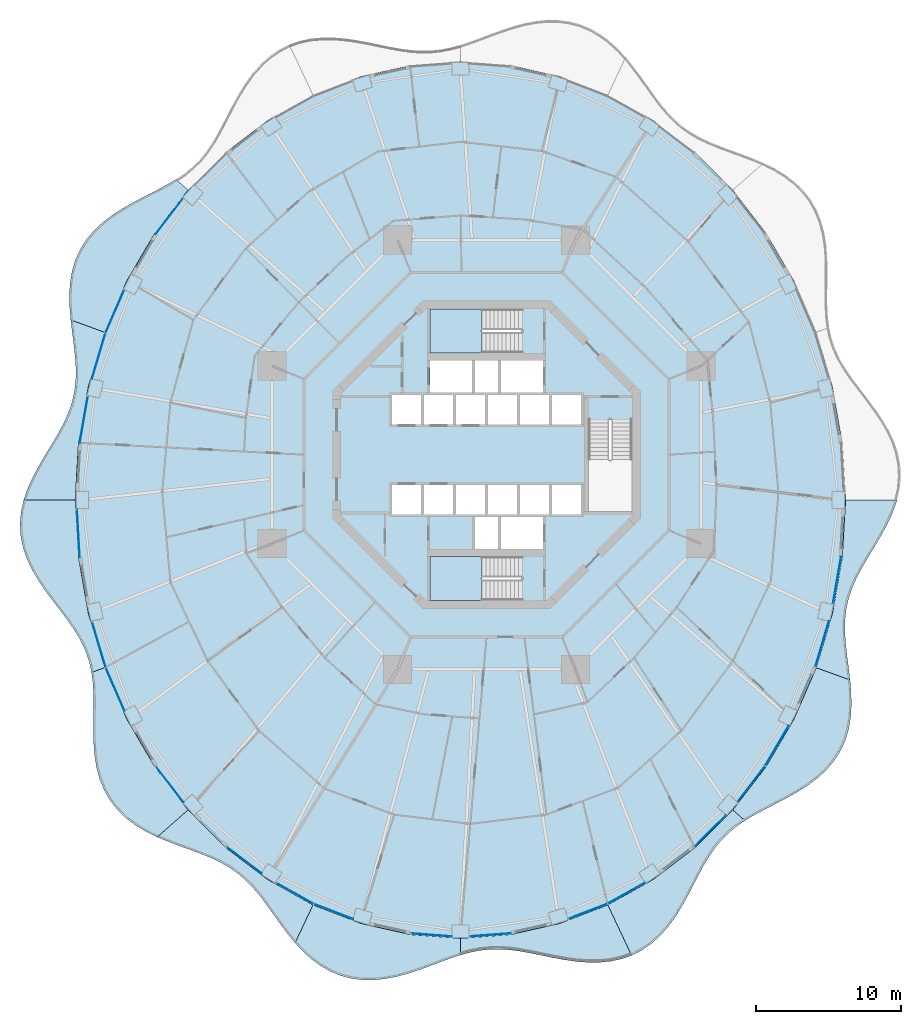
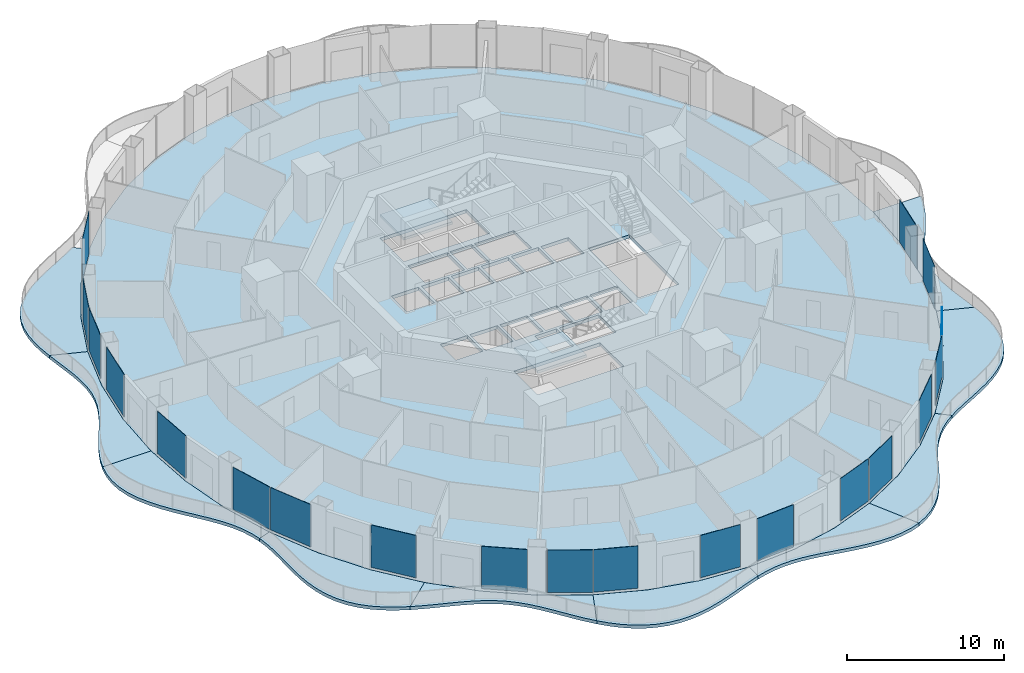
# One storey, part 10 of 20: 20 plates, 13 slabs, 22 elements without a shape of their own.
"""IFC4 building model written with IfcOpenShell, lengths in metres."""

from ifc_helpers import new_model, si_unit, direction, frame, origin, origin_2d, place, context, subcontext, project, spatial, polyline, rectangle, outline, extrude, material, layer, layer_set, type_object, element, aggregate, save


model = new_model("IFC4")

# Units and contexts
model_context = context("Model", 3, precision=1e-05, world=origin(), true_north=direction((0.0, 1.0)))
body_context = subcontext(model_context, "Body", "Model", "MODEL_VIEW")
ifc_project = project(units=[si_unit("LENGTHUNIT", "METRE"), si_unit("AREAUNIT", "SQUARE_METRE"), si_unit("VOLUMEUNIT", "CUBIC_METRE"), si_unit("PLANEANGLEUNIT", "RADIAN"), si_unit("MASSUNIT", "GRAM", prefix="KILO")], contexts=[model_context])

# Site, building, storey
site_placement = place(None, origin())
site = spatial("IfcSite", under=ifc_project, at=site_placement, CompositionType="ELEMENT")
building_placement = place(site_placement, origin())
building = spatial("IfcBuilding", under=site, at=building_placement, Name="Nagisa Residences", CompositionType="ELEMENT")
storey_placement = place(building_placement, frame((0.0, 0.0, 145.5)))
storey = spatial("IfcBuildingStorey", under=building, at=storey_placement, Name="L36", CompositionType="ELEMENT", Elevation=145.5)

# Slabs
ifc_material_1 = material(Name="Concrete C40/50", Category="concrete")
ifc_layer_1 = layer(ifc_material_1, 0.25)
ifc_layer_set_1 = layer_set([ifc_layer_1], Name="BALCONY SLAB 250")
slab_type_1 = type_object("IfcSlabType", Name="BALCONY SLAB 250", PredefinedType="FLOOR", material=ifc_layer_set_1)
slab_1_placement = place(storey_placement, frame((0.0, 0.0, -0.25)))
element("IfcSlab", 1, at=slab_1_placement, inside=storey, type_object=slab_type_1, Name="slab:L36:bal06", PredefinedType="FLOOR", context=body_context, shape_type="SweptSolid", body=[
    extrude(outline(polyline([(-21.400390625, 18.96923828125), (-22.0751953125, 18.566650390625), (-22.792236328125, 18.181640625), (-23.53759765625, 17.799072265625), (-24.294921875, 17.403564453125), (-25.044189453125, 16.98095703125), (-25.76513671875, 16.519287109375), (-26.4375, 16.0087890625), (-27.043212890625, 15.443603515625), (-27.56640625, 14.821044921875), (-27.99609375, 14.14208984375), (-28.325927734375, 13.4111328125), (-28.55517578125, 12.63525390625), (-28.688720703125, 11.82373046875), (-28.7373046875, 10.987548828125), (-28.716064453125, 10.1376953125), (-28.643798828125, 9.28515625), (-26.315185546875, 8.4375), (-24.780029296875, 11.979736328125), (-22.8515625, 15.263916015625), (-20.56298828125, 18.2333984375), (-21.400390625, 18.96923828125)])), origin(), (0.0, 0.0, 1.0), 0.25),
])
slab_2_placement = place(storey_placement, frame((0.0, 0.0, -0.25)))
element("IfcSlab", 2, at=slab_2_placement, inside=storey, type_object=slab_type_1, Name="slab:L36:bal07", PredefinedType="FLOOR", context=body_context, shape_type="SweptSolid", body=[
    extrude(outline(polyline([(-28.643798828125, 9.28515625), (-28.539306640625, 8.412841796875), (-28.428955078125, 7.556884765625), (-28.337646484375, 6.7236328125), (-28.287841796875, 5.916015625), (-28.29833984375, 5.135009765625), (-28.3828125, 4.3779296875), (-28.548095703125, 3.640380859375), (-28.795166015625, 2.916259765625), (-29.117431640625, 2.198486328125), (-29.502197265625, 1.4794921875), (-29.93115234375, 0.7529296875), (-30.38134765625, 0.01318359375), (-30.82763671875, -0.743408203125), (-31.2431640625, -1.518310546875), (-31.6025390625, -2.310546875), (-31.883056640625, -3.11767578125), (-28.3349609375, -3.11767578125), (-28.10791015625, 0.823486328125), (-27.430908203125, 4.697265625), (-26.315185546875, 8.4375), (-28.643798828125, 9.28515625)])), origin(), (0.0, 0.0, 1.0), 0.25),
])
slab_3_placement = place(storey_placement, frame((0.0, 0.0, -0.25)))
element("IfcSlab", 3, at=slab_3_placement, inside=storey, type_object=slab_type_1, Name="slab:L36:bal08", PredefinedType="FLOOR", context=body_context, shape_type="SweptSolid", body=[
    extrude(outline(polyline([(-31.883056640625, -3.11767578125), (-32.065673828125, -3.934814453125), (-32.137939453125, -4.755615234375), (-32.0927734375, -5.573486328125), (-31.930908203125, -6.382080078125), (-31.65966796875, -7.1748046875), (-31.29248046875, -7.947265625), (-30.848876953125, -8.696533203125), (-30.3515625, -9.422607421875), (-29.826416015625, -10.126953125), (-29.29931640625, -10.814208984375), (-28.795166015625, -11.49072265625), (-28.335693359375, -12.164306640625), (-27.938720703125, -12.843505859375), (-27.615966796875, -13.537109375), (-27.372314453125, -14.2529296875), (-27.20654296875, -14.997314453125), (-26.315185546875, -14.6728515625), (-27.430908203125, -10.9326171875), (-28.10791015625, -7.058837890625), (-28.3349609375, -3.11767578125), (-31.883056640625, -3.11767578125)])), origin(), (0.0, 0.0, 1.0), 0.25),
])
slab_4_placement = place(storey_placement, frame((0.0, 0.0, -0.25)))
element("IfcSlab", 4, at=slab_4_placement, inside=storey, type_object=slab_type_1, Name="slab:L36:bal09", PredefinedType="FLOOR", context=body_context, shape_type="SweptSolid", body=[
    extrude(outline(polyline([(-27.20654296875, -14.997314453125), (-27.11279296875, -15.749267578125), (-27.072265625, -16.532470703125), (-27.06787109375, -17.34423828125), (-27.07958984375, -18.18017578125), (-27.085693359375, -19.03173828125), (-27.064208984375, -19.888916015625), (-26.994384765625, -20.73974609375), (-26.85791015625, -21.57080078125), (-26.640625, -22.369384765625), (-26.332275390625, -23.122802734375), (-25.928955078125, -23.82080078125), (-25.43115234375, -24.45556640625), (-24.845458984375, -25.02294921875), (-24.182373046875, -25.52197265625), (-23.45703125, -25.95703125), (-22.686767578125, -26.3349609375), (-20.56298828125, -24.46875), (-22.8515625, -21.499267578125), (-24.780029296875, -18.215087890625), (-26.315185546875, -14.6728515625), (-27.20654296875, -14.997314453125)])), origin(), (0.0, 0.0, 1.0), 0.25),
])
slab_5_placement = place(storey_placement, frame((0.0, 0.0, -0.25)))
element("IfcSlab", 5, at=slab_5_placement, inside=storey, type_object=slab_type_1, Name="slab:L36:bal10", PredefinedType="FLOOR", context=body_context, shape_type="SweptSolid", body=[
    extrude(outline(polyline([(-22.686767578125, -26.3349609375), (-21.927978515625, -26.65283203125), (-21.162109375, -26.94189453125), (-20.404541015625, -27.2158203125), (-19.6689453125, -27.48974609375), (-18.966064453125, -27.7783203125), (-18.303466796875, -28.095703125), (-17.68505859375, -28.453125), (-17.11083984375, -28.859619140625), (-16.5771484375, -29.320556640625), (-16.077392578125, -29.83642578125), (-15.602294921875, -30.404541015625), (-15.14013671875, -31.016845703125), (-14.679443359375, -31.661865234375), (-14.20751953125, -32.324462890625), (-13.713623046875, -32.9873046875), (-13.187744140625, -33.630615234375), (-11.95458984375, -31.01416015625), (-15.0673828125, -29.267333984375), (-17.953369140625, -27.072998046875), (-20.56298828125, -24.46875), (-22.686767578125, -26.3349609375)])), origin(), (0.0, 0.0, 1.0), 0.25),
])
slab_6_placement = place(storey_placement, frame((0.0, 0.0, -0.25)))
element("IfcSlab", 6, at=slab_6_placement, inside=storey, type_object=slab_type_1, Name="slab:L36:bal11", PredefinedType="FLOOR", context=body_context, shape_type="SweptSolid", body=[
    extrude(outline(polyline([(-13.187744140625, -33.630615234375), (-12.64404296875, -34.214111328125), (-12.059814453125, -34.74462890625), (-11.433837890625, -35.20703125), (-10.76708984375, -35.588623046875), (-10.063232421875, -35.880126953125), (-9.32763671875, -36.076416015625), (-8.567626953125, -36.1767578125), (-7.791259765625, -36.18408203125), (-7.007080078125, -36.10693359375), (-6.222900390625, -35.956787109375), (-5.446044921875, -35.748291015625), (-4.681884765625, -35.499267578125), (-3.9345703125, -35.227783203125), (-3.205810546875, -34.953369140625), (-2.4951171875, -34.693603515625), (-1.800048828125, -34.46484375), (-1.800048828125, -33.312744140625), (-5.263427734375, -33.054443359375), (-8.667724609375, -32.283935546875), (-11.95458984375, -31.01416015625), (-13.187744140625, -33.630615234375)])), origin(), (0.0, 0.0, 1.0), 0.25),
])
slab_7_placement = place(storey_placement, frame((0.0, 0.0, -0.25)))
element("IfcSlab", 7, at=slab_7_placement, inside=storey, type_object=slab_type_1, Name="slab:L36:bal12", PredefinedType="FLOOR", context=body_context, shape_type="SweptSolid", body=[
    extrude(outline(polyline([(-1.800048828125, -34.46484375), (-1.11669921875, -34.2802734375), (-0.439453125, -34.149658203125), (0.237548828125, -34.078369140625), (0.92041015625, -34.0673828125), (1.614990234375, -34.11279296875), (2.32568359375, -34.20703125), (3.0556640625, -34.338134765625), (3.805908203125, -34.4912109375), (4.575439453125, -34.649169921875), (5.360595703125, -34.794189453125), (6.15576171875, -34.907958984375), (6.953857421875, -34.97314453125), (7.74609375, -34.974609375), (8.52294921875, -34.89990234375), (9.275146484375, -34.740478515625), (9.993408203125, -34.4912109375), (8.3544921875, -31.01416015625), (5.06787109375, -32.283935546875), (1.66357421875, -33.054443359375), (-1.800048828125, -33.312744140625), (-1.800048828125, -34.46484375)])), origin(), (0.0, 0.0, 1.0), 0.25),
])
slab_8_placement = place(storey_placement, frame((0.0, 0.0, -0.25)))
element("IfcSlab", 8, at=slab_8_placement, inside=storey, type_object=slab_type_1, Name="slab:L36:bal13", PredefinedType="FLOOR", context=body_context, shape_type="SweptSolid", body=[
    extrude(outline(polyline([(9.993408203125, -34.4912109375), (10.694580078125, -34.13720703125), (11.3447265625, -33.690185546875), (11.93994140625, -33.15869140625), (12.479736328125, -32.55517578125), (12.96728515625, -31.89453125), (13.408447265625, -31.19482421875), (13.8125, -30.4736328125), (14.190673828125, -29.749267578125), (14.55615234375, -29.038330078125), (14.92333984375, -28.35498046875), (15.3056640625, -27.710693359375), (15.7158203125, -27.113037109375), (16.16455078125, -26.565673828125), (16.659423828125, -26.068359375), (17.20458984375, -25.6171875), (17.80029296875, -25.20458984375), (16.963134765625, -24.46875), (14.353515625, -27.072998046875), (11.467529296875, -29.267333984375), (8.3544921875, -31.01416015625), (9.993408203125, -34.4912109375)])), origin(), (0.0, 0.0, 1.0), 0.25),
])
slab_9_placement = place(storey_placement, frame((0.0, 0.0, -0.25)))
element("IfcSlab", 9, at=slab_9_placement, inside=storey, type_object=slab_type_1, Name="slab:L36:bal14", PredefinedType="FLOOR", context=body_context, shape_type="SweptSolid", body=[
    extrude(outline(polyline([(17.80029296875, -25.20458984375), (18.47509765625, -24.802001953125), (19.192138671875, -24.4169921875), (19.937744140625, -24.034423828125), (20.69482421875, -23.638916015625), (21.444091796875, -23.21630859375), (22.1650390625, -22.754638671875), (22.837646484375, -22.244384765625), (23.443115234375, -21.67919921875), (23.96630859375, -21.056396484375), (24.39599609375, -20.37744140625), (24.725830078125, -19.646484375), (24.955078125, -18.87060546875), (25.088623046875, -18.05908203125), (25.13720703125, -17.222900390625), (25.115966796875, -16.373046875), (25.0439453125, -15.5205078125), (22.715087890625, -14.6728515625), (21.179931640625, -18.215087890625), (19.251708984375, -21.499267578125), (16.963134765625, -24.46875), (17.80029296875, -25.20458984375)])), origin(), (0.0, 0.0, 1.0), 0.25),
])
slab_10_placement = place(storey_placement, frame((0.0, 0.0, -0.25)))
element("IfcSlab", 10, at=slab_10_placement, inside=storey, type_object=slab_type_1, Name="slab:L36:bal15", PredefinedType="FLOOR", context=body_context, shape_type="SweptSolid", body=[
    extrude(outline(polyline([(25.0439453125, -15.5205078125), (24.939208984375, -14.648193359375), (24.828857421875, -13.792236328125), (24.737548828125, -12.958984375), (24.68798828125, -12.1513671875), (24.698486328125, -11.370361328125), (24.78271484375, -10.61328125), (24.9482421875, -9.875732421875), (25.195068359375, -9.151611328125), (25.517578125, -8.433837890625), (25.90234375, -7.715087890625), (26.3310546875, -6.98828125), (26.781494140625, -6.24853515625), (27.2275390625, -5.491943359375), (27.64306640625, -4.71728515625), (28.00244140625, -3.9248046875), (28.282958984375, -3.11767578125), (24.735107421875, -3.11767578125), (24.508056640625, -7.058837890625), (23.830810546875, -10.9326171875), (22.715087890625, -14.6728515625), (25.0439453125, -15.5205078125)])), origin(), (0.0, 0.0, 1.0), 0.25),
])

# Curtain wall, plate
ifc_material_2 = material(Name="Concrete-coloured aluminium curtain wall system", Category="concrete")
ifc_layer_2 = layer(ifc_material_2, 0.159912109375)
ifc_layer_set_2 = layer_set([ifc_layer_2], Name="CW1 CURTAIN WALL")
curtain_wall_type = type_object("IfcCurtainWallType", Name="CW1 CURTAIN WALL", PredefinedType="NOTDEFINED", material=ifc_layer_set_2)
curtain_wall_1_placement = place(storey_placement, origin())
curtain_wall_1 = element("IfcCurtainWall", 11, at=curtain_wall_1_placement, inside=storey, type_object=curtain_wall_type, Name="cw:CW1:L36:18", PredefinedType="NOTDEFINED")
ifc_material_3 = material(Name="Clear laminated glass", Category="glass")
ifc_layer_3 = layer(ifc_material_3, 0.028076171875)
ifc_layer_set_3 = layer_set([ifc_layer_3], Name="CW1 GLASS PANEL")
plate_type = type_object("IfcPlateType", Name="CW1 GLASS PANEL", PredefinedType="CURTAIN_PANEL", material=ifc_layer_set_3)
plate_1_placement = place(storey_placement, frame((-21.845458984375, 16.4384765625, 0.14990234375), z_axis=(0.0, 0.0, 1.0), x_axis=(-0.610429828235, -0.792070340816, 0.0)))
plate_1 = element("IfcPlate", 12, at=plate_1_placement, type_object=plate_type, Name="CW1 panel", PredefinedType="CURTAIN_PANEL", context=body_context, shape_type="SweptSolid", body=[
    extrude(rectangle(XDim=3.089111328125, YDim=0.028076171875, at=origin_2d()), origin(), (0.0, 0.0, 1.0), 3.2900390625),
])
aggregate(curtain_wall_1, [plate_1])

curtain_wall_2_placement = place(storey_placement, origin())
curtain_wall_2 = element("IfcCurtainWall", 13, at=curtain_wall_2_placement, inside=storey, type_object=curtain_wall_type, Name="cw:CW1:L36:20", PredefinedType="NOTDEFINED")
plate_2_placement = place(storey_placement, frame((-25.60546875, 9.8740234375, 0.14990234375), z_axis=(0.0, 0.0, 1.0), x_axis=(-0.397635934147, -0.917543276295, 0.0)))
plate_2 = element("IfcPlate", 14, at=plate_2_placement, type_object=plate_type, Name="CW1 panel", PredefinedType="CURTAIN_PANEL", context=body_context, shape_type="SweptSolid", body=[
    extrude(rectangle(XDim=3.20068359375, YDim=0.028076171875, at=origin_2d()), origin(), (0.0, 0.0, 1.0), 3.2900390625),
])
aggregate(curtain_wall_2, [plate_2])

curtain_wall_3_placement = place(storey_placement, origin())
curtain_wall_3 = element("IfcCurtainWall", 15, at=curtain_wall_3_placement, inside=storey, type_object=curtain_wall_type, Name="cw:CW1:L36:21", PredefinedType="NOTDEFINED")
plate_3_placement = place(storey_placement, frame((-26.71923828125, 6.80322265625, 0.14990234375), z_axis=(0.0, 0.0, 1.0), x_axis=(-0.285860274038, -0.958271310082, 0.0)))
plate_3 = element("IfcPlate", 16, at=plate_3_placement, type_object=plate_type, Name="CW1 panel", PredefinedType="CURTAIN_PANEL", context=body_context, shape_type="SweptSolid", body=[
    extrude(rectangle(XDim=3.242919921875, YDim=0.028076171875, at=origin_2d()), origin(), (0.0, 0.0, 1.0), 3.2900390625),
])
aggregate(curtain_wall_3, [plate_3])

curtain_wall_4_placement = place(storey_placement, origin())
curtain_wall_4 = element("IfcCurtainWall", 17, at=curtain_wall_4_placement, inside=storey, type_object=curtain_wall_type, Name="cw:CW1:L36:22", PredefinedType="NOTDEFINED")
plate_4_placement = place(storey_placement, frame((-27.747314453125, 2.421630859375, 0.14990234375), z_axis=(0.0, 0.0, 1.0), x_axis=(-0.172190868898, -0.985063604377, 0.0)))
plate_4 = element("IfcPlate", 18, at=plate_4_placement, type_object=plate_type, Name="CW1 panel", PredefinedType="CURTAIN_PANEL", context=body_context, shape_type="SweptSolid", body=[
    extrude(rectangle(XDim=3.2724609375, YDim=0.028076171875, at=origin_2d()), origin(), (0.0, 0.0, 1.0), 3.2900390625),
])
aggregate(curtain_wall_4, [plate_4])

curtain_wall_5_placement = place(storey_placement, origin())
curtain_wall_5 = element("IfcCurtainWall", 19, at=curtain_wall_5_placement, inside=storey, type_object=curtain_wall_type, Name="cw:CW1:L36:24", PredefinedType="NOTDEFINED")
plate_5_placement = place(storey_placement, frame((-28.12255859375, -5.4130859375, 0.14990234375), z_axis=(0.0, 0.0, 1.0), x_axis=(0.057503492216, -0.998345305184, 0.0)))
plate_5 = element("IfcPlate", 20, at=plate_5_placement, type_object=plate_type, Name="CW1 panel", PredefinedType="CURTAIN_PANEL", context=body_context, shape_type="SweptSolid", body=[
    extrude(rectangle(XDim=3.287841796875, YDim=0.028076171875, at=origin_2d()), origin(), (0.0, 0.0, 1.0), 3.2900390625),
])
aggregate(curtain_wall_5, [plate_5])

curtain_wall_6_placement = place(storey_placement, origin())
curtain_wall_6 = element("IfcCurtainWall", 21, at=curtain_wall_6_placement, inside=storey, type_object=curtain_wall_type, Name="cw:CW1:L36:26", PredefinedType="NOTDEFINED")
plate_6_placement = place(storey_placement, frame((-26.701904296875, -13.09619140625, 0.14990234375), z_axis=(0.0, 0.0, 1.0), x_axis=(0.285860274038, -0.958271310082, 0.0)))
plate_6 = element("IfcPlate", 22, at=plate_6_placement, type_object=plate_type, Name="CW1 panel", PredefinedType="CURTAIN_PANEL", context=body_context, shape_type="SweptSolid", body=[
    extrude(rectangle(XDim=3.242919921875, YDim=0.028076171875, at=origin_2d()), origin(), (0.0, 0.0, 1.0), 3.2900390625),
])
aggregate(curtain_wall_6, [plate_6])

curtain_wall_7_placement = place(storey_placement, origin())
curtain_wall_7 = element("IfcCurtainWall", 23, at=curtain_wall_7_placement, inside=storey, type_object=curtain_wall_type, Name="cw:CW1:L36:27", PredefinedType="NOTDEFINED")
plate_7_placement = place(storey_placement, frame((-25.58154296875, -16.16455078125, 0.14990234375), z_axis=(0.0, 0.0, 1.0), x_axis=(0.397635934147, -0.917543276295, 0.0)))
plate_7 = element("IfcPlate", 24, at=plate_7_placement, type_object=plate_type, Name="CW1 panel", PredefinedType="CURTAIN_PANEL", context=body_context, shape_type="SweptSolid", body=[
    extrude(rectangle(XDim=3.20068359375, YDim=0.028076171875, at=origin_2d()), origin(), (0.0, 0.0, 1.0), 3.2900390625),
])
aggregate(curtain_wall_7, [plate_7])

curtain_wall_8_placement = place(storey_placement, origin())
curtain_wall_8 = element("IfcCurtainWall", 25, at=curtain_wall_8_placement, inside=storey, type_object=curtain_wall_type, Name="cw:CW1:L36:29", PredefinedType="NOTDEFINED")
plate_8_placement = place(storey_placement, frame((-21.808837890625, -22.721435546875, 0.14990234375), z_axis=(0.0, 0.0, 1.0), x_axis=(0.610429828235, -0.792070340816, 0.0)))
plate_8 = element("IfcPlate", 26, at=plate_8_placement, type_object=plate_type, Name="CW1 panel", PredefinedType="CURTAIN_PANEL", context=body_context, shape_type="SweptSolid", body=[
    extrude(rectangle(XDim=3.089111328125, YDim=0.028076171875, at=origin_2d()), origin(), (0.0, 0.0, 1.0), 3.2900390625),
])
aggregate(curtain_wall_8, [plate_8])

curtain_wall_9_placement = place(storey_placement, origin())
curtain_wall_9 = element("IfcCurtainWall", 27, at=curtain_wall_9_placement, inside=storey, type_object=curtain_wall_type, Name="cw:CW1:L36:31", PredefinedType="NOTDEFINED")
plate_9_placement = place(storey_placement, frame((-16.677001953125, -27.943115234375, 0.14990234375), z_axis=(0.0, 0.0, 1.0), x_axis=(0.79603132756, -0.605255421737, 0.0)))
plate_9 = element("IfcPlate", 28, at=plate_9_placement, type_object=plate_type, Name="CW1 panel", PredefinedType="CURTAIN_PANEL", context=body_context, shape_type="SweptSolid", body=[
    extrude(rectangle(XDim=2.965576171875, YDim=0.028076171875, at=origin_2d()), origin(), (0.0, 0.0, 1.0), 3.2900390625),
])
aggregate(curtain_wall_9, [plate_9])

curtain_wall_10_placement = place(storey_placement, origin())
curtain_wall_10 = element("IfcCurtainWall", 29, at=curtain_wall_10_placement, inside=storey, type_object=curtain_wall_type, Name="cw:CW1:L36:32", PredefinedType="NOTDEFINED")
plate_10_placement = place(storey_placement, frame((-13.18408203125, -30.232421875, 0.14990234375), z_axis=(0.0, 0.0, 1.0), x_axis=(0.872072377523, -0.489376918501, 0.0)))
plate_10 = element("IfcPlate", 30, at=plate_10_placement, type_object=plate_type, Name="CW1 panel", PredefinedType="CURTAIN_PANEL", context=body_context, shape_type="SweptSolid", body=[
    extrude(rectangle(XDim=2.90966796875, YDim=0.028076171875, at=origin_2d()), origin(), (0.0, 0.0, 1.0), 3.2900390625),
])
aggregate(curtain_wall_10, [plate_10])

curtain_wall_11_placement = place(storey_placement, origin())
curtain_wall_11 = element("IfcCurtainWall", 31, at=curtain_wall_11_placement, inside=storey, type_object=curtain_wall_type, Name="cw:CW1:L36:33", PredefinedType="NOTDEFINED")
plate_11_placement = place(storey_placement, frame((-10.5341796875, -31.47705078125, 0.14990234375), z_axis=(0.0, 0.0, 1.0), x_axis=(0.932825759707, -0.360327770268, 0.0)))
plate_11 = element("IfcPlate", 32, at=plate_11_placement, type_object=plate_type, Name="CW1 panel", PredefinedType="CURTAIN_PANEL", context=body_context, shape_type="SweptSolid", body=[
    extrude(rectangle(XDim=2.863525390625, YDim=0.028076171875, at=origin_2d()), origin(), (0.0, 0.0, 1.0), 3.2900390625),
])
aggregate(curtain_wall_11, [plate_11])

curtain_wall_12_placement = place(storey_placement, origin())
curtain_wall_12 = element("IfcCurtainWall", 33, at=curtain_wall_12_placement, inside=storey, type_object=curtain_wall_type, Name="cw:CW1:L36:35", PredefinedType="NOTDEFINED")
plate_12_placement = place(storey_placement, frame((-3.795166015625, -33.083740234375, 0.14990234375), z_axis=(0.0, 0.0, 1.0), x_axis=(0.997230168512, -0.074377355493, 0.0)))
plate_12 = element("IfcPlate", 34, at=plate_12_placement, type_object=plate_type, Name="CW1 panel", PredefinedType="CURTAIN_PANEL", context=body_context, shape_type="SweptSolid", body=[
    extrude(rectangle(XDim=2.813232421875, YDim=0.028076171875, at=origin_2d()), origin(), (0.0, 0.0, 1.0), 3.2900390625),
])
aggregate(curtain_wall_12, [plate_12])

curtain_wall_13_placement = place(storey_placement, origin())
curtain_wall_13 = element("IfcCurtainWall", 35, at=curtain_wall_13_placement, inside=storey, type_object=curtain_wall_type, Name="cw:CW1:L36:36", PredefinedType="NOTDEFINED")
plate_13_placement = place(storey_placement, frame((0.2548828125, -33.0791015625, 0.14990234375), z_axis=(0.0, 0.0, 1.0), x_axis=(0.997230168512, 0.074377355493, 0.0)))
plate_13 = element("IfcPlate", 36, at=plate_13_placement, type_object=plate_type, Name="CW1 panel", PredefinedType="CURTAIN_PANEL", context=body_context, shape_type="SweptSolid", body=[
    extrude(rectangle(XDim=2.813232421875, YDim=0.028076171875, at=origin_2d()), origin(), (0.0, 0.0, 1.0), 3.2900390625),
])
aggregate(curtain_wall_13, [plate_13])

curtain_wall_14_placement = place(storey_placement, origin())
curtain_wall_14 = element("IfcCurtainWall", 37, at=curtain_wall_14_placement, inside=storey, type_object=curtain_wall_type, Name="cw:CW1:L36:38", PredefinedType="NOTDEFINED")
plate_14_placement = place(storey_placement, frame((6.990234375, -31.45556640625, 0.14990234375), z_axis=(0.0, 0.0, 1.0), x_axis=(0.932825759707, 0.360327770268, 0.0)))
plate_14 = element("IfcPlate", 38, at=plate_14_placement, type_object=plate_type, Name="CW1 panel", PredefinedType="CURTAIN_PANEL", context=body_context, shape_type="SweptSolid", body=[
    extrude(rectangle(XDim=2.863525390625, YDim=0.028076171875, at=origin_2d()), origin(), (0.0, 0.0, 1.0), 3.2900390625),
])
aggregate(curtain_wall_14, [plate_14])

curtain_wall_15_placement = place(storey_placement, origin())
curtain_wall_15 = element("IfcCurtainWall", 39, at=curtain_wall_15_placement, inside=storey, type_object=curtain_wall_type, Name="cw:CW1:L36:39", PredefinedType="NOTDEFINED")
plate_15_placement = place(storey_placement, frame((9.636474609375, -30.203125, 0.14990234375), z_axis=(0.0, 0.0, 1.0), x_axis=(0.872072377523, 0.489376918501, 0.0)))
plate_15 = element("IfcPlate", 40, at=plate_15_placement, type_object=plate_type, Name="CW1 panel", PredefinedType="CURTAIN_PANEL", context=body_context, shape_type="SweptSolid", body=[
    extrude(rectangle(XDim=2.90966796875, YDim=0.028076171875, at=origin_2d()), origin(), (0.0, 0.0, 1.0), 3.2900390625),
])
aggregate(curtain_wall_15, [plate_15])

curtain_wall_16_placement = place(storey_placement, origin())
curtain_wall_16 = element("IfcCurtainWall", 41, at=curtain_wall_16_placement, inside=storey, type_object=curtain_wall_type, Name="cw:CW1:L36:41", PredefinedType="NOTDEFINED")
plate_16_placement = place(storey_placement, frame((15.41064453125, -25.905029296875, 0.14990234375), z_axis=(0.0, 0.0, 1.0), x_axis=(0.707835924016, 0.706376885714, 0.0)))
plate_16 = element("IfcPlate", 42, at=plate_16_placement, type_object=plate_type, Name="CW1 panel", PredefinedType="CURTAIN_PANEL", context=body_context, shape_type="SweptSolid", body=[
    extrude(rectangle(XDim=3.026611328125, YDim=0.028076171875, at=origin_2d()), origin(), (0.0, 0.0, 1.0), 3.2900390625),
])
aggregate(curtain_wall_16, [plate_16])

curtain_wall_17_placement = place(storey_placement, origin())
curtain_wall_17 = element("IfcCurtainWall", 43, at=curtain_wall_17_placement, inside=storey, type_object=curtain_wall_type, Name="cw:CW1:L36:42", PredefinedType="NOTDEFINED")
plate_17_placement = place(storey_placement, frame((18.245361328125, -22.673828125, 0.14990234375), z_axis=(0.0, 0.0, 1.0), x_axis=(0.610429828235, 0.792070340816, 0.0)))
plate_17 = element("IfcPlate", 44, at=plate_17_placement, type_object=plate_type, Name="CW1 panel", PredefinedType="CURTAIN_PANEL", context=body_context, shape_type="SweptSolid", body=[
    extrude(rectangle(XDim=3.089111328125, YDim=0.028076171875, at=origin_2d()), origin(), (0.0, 0.0, 1.0), 3.2900390625),
])
aggregate(curtain_wall_17, [plate_17])

curtain_wall_18_placement = place(storey_placement, origin())
curtain_wall_18 = element("IfcCurtainWall", 45, at=curtain_wall_18_placement, inside=storey, type_object=curtain_wall_type, Name="cw:CW1:L36:43", PredefinedType="NOTDEFINED")
plate_18_placement = place(storey_placement, frame((20.010009765625, -20.049560546875, 0.14990234375), z_axis=(0.0, 0.0, 1.0), x_axis=(0.506348567002, 0.862328898214, 0.0)))
plate_18 = element("IfcPlate", 46, at=plate_18_placement, type_object=plate_type, Name="CW1 panel", PredefinedType="CURTAIN_PANEL", context=body_context, shape_type="SweptSolid", body=[
    extrude(rectangle(XDim=3.1484375, YDim=0.028076171875, at=origin_2d()), origin(), (0.0, 0.0, 1.0), 3.2900390625),
])
aggregate(curtain_wall_18, [plate_18])

curtain_wall_19_placement = place(storey_placement, origin())
curtain_wall_19 = element("IfcCurtainWall", 47, at=curtain_wall_19_placement, inside=storey, type_object=curtain_wall_type, Name="cw:CW1:L36:45", PredefinedType="NOTDEFINED")
plate_19_placement = place(storey_placement, frame((23.119140625, -13.03857421875, 0.14990234375), z_axis=(0.0, 0.0, 1.0), x_axis=(0.285860274038, 0.958271310082, 0.0)))
plate_19 = element("IfcPlate", 48, at=plate_19_placement, type_object=plate_type, Name="CW1 panel", PredefinedType="CURTAIN_PANEL", context=body_context, shape_type="SweptSolid", body=[
    extrude(rectangle(XDim=3.242919921875, YDim=0.028076171875, at=origin_2d()), origin(), (0.0, 0.0, 1.0), 3.2900390625),
])
aggregate(curtain_wall_19, [plate_19])

curtain_wall_20_placement = place(storey_placement, origin())
curtain_wall_20 = element("IfcCurtainWall", 49, at=curtain_wall_20_placement, inside=storey, type_object=curtain_wall_type, Name="cw:CW1:L36:46", PredefinedType="NOTDEFINED")
plate_20_placement = place(storey_placement, frame((24.1474609375, -8.656982421875, 0.14990234375), z_axis=(0.0, 0.0, 1.0), x_axis=(0.172190868898, 0.985063604377, 0.0)))
plate_20 = element("IfcPlate", 50, at=plate_20_placement, type_object=plate_type, Name="CW1 panel", PredefinedType="CURTAIN_PANEL", context=body_context, shape_type="SweptSolid", body=[
    extrude(rectangle(XDim=3.2724609375, YDim=0.028076171875, at=origin_2d()), origin(), (0.0, 0.0, 1.0), 3.2900390625),
])
aggregate(curtain_wall_20, [plate_20])

# Slab
ifc_material_4 = material(Name="Concrete C40", Category="concrete")
ifc_layer_4 = layer(ifc_material_4, 0.260009765625)
ifc_layer_set_4 = layer_set([ifc_layer_4], Name="Floor slab 260")
slab_type_2 = type_object("IfcSlabType", Name="Floor slab 260", PredefinedType="FLOOR", material=ifc_layer_set_4)
slab_11_placement = place(storey_placement, frame((0.0, 0.0, -0.260009765625)))
element("IfcSlab", 51, at=slab_11_placement, inside=storey, type_object=slab_type_2, Name="slab:L36:floor", PredefinedType="FLOOR", context=body_context, shape_type="SweptSolid", body=[
    extrude(outline(polyline([(24.735107421875, -3.11767578125), (24.508056640625, 0.823486328125), (23.830810546875, 4.697265625), (22.715087890625, 8.4375), (21.179931640625, 11.979736328125), (19.251708984375, 15.263916015625), (16.963134765625, 18.2333984375), (14.353515625, 20.837646484375), (11.467529296875, 23.031982421875), (8.3544921875, 24.77880859375), (5.06787109375, 26.04833984375), (1.66357421875, 26.819091796875), (-1.800048828125, 27.077392578125), (-5.263427734375, 26.819091796875), (-8.667724609375, 26.04833984375), (-11.95458984375, 24.77880859375), (-15.0673828125, 23.031982421875), (-17.953369140625, 20.837646484375), (-20.56298828125, 18.2333984375), (-22.8515625, 15.263916015625), (-24.780029296875, 11.979736328125), (-26.315185546875, 8.4375), (-27.430908203125, 4.697265625), (-28.10791015625, 0.823486328125), (-28.3349609375, -3.11767578125), (-28.10791015625, -7.058837890625), (-27.430908203125, -10.9326171875), (-26.315185546875, -14.6728515625), (-24.780029296875, -18.215087890625), (-22.8515625, -21.499267578125), (-20.56298828125, -24.46875), (-17.953369140625, -27.072998046875), (-15.0673828125, -29.267333984375), (-11.95458984375, -31.01416015625), (-8.667724609375, -32.283935546875), (-5.263427734375, -33.054443359375), (-1.800048828125, -33.312744140625), (1.66357421875, -33.054443359375), (5.06787109375, -32.283935546875), (8.3544921875, -31.01416015625), (11.467529296875, -29.267333984375), (14.353515625, -27.072998046875), (16.963134765625, -24.46875), (19.251708984375, -21.499267578125), (21.179931640625, -18.215087890625), (22.715087890625, -14.6728515625), (23.830810546875, -10.9326171875), (24.508056640625, -7.058837890625), (24.735107421875, -3.11767578125)]), holes=[polyline([(-4.5, 2.10009765625), (-4.5, 4.10009765625), (-6.5, 4.10009765625), (-6.5, 2.10009765625), (-4.5, 2.10009765625)]), polyline([(-2.300048828125, 2.10009765625), (-2.300048828125, 4.10009765625), (-4.300048828125, 4.10009765625), (-4.300048828125, 2.10009765625), (-2.300048828125, 2.10009765625)]), polyline([(-0.10009765625, 2.10009765625), (-0.10009765625, 4.10009765625), (-2.10009765625, 4.10009765625), (-2.10009765625, 2.10009765625), (-0.10009765625, 2.10009765625)]), polyline([(2.10009765625, 2.10009765625), (2.10009765625, 4.10009765625), (0.10009765625, 4.10009765625), (0.10009765625, 2.10009765625), (2.10009765625, 2.10009765625)]), polyline([(4.300048828125, 2.10009765625), (4.300048828125, 4.10009765625), (2.300048828125, 4.10009765625), (2.300048828125, 2.10009765625), (4.300048828125, 2.10009765625)]), polyline([(6.5, 2.10009765625), (6.5, 4.10009765625), (4.5, 4.10009765625), (4.5, 2.10009765625), (6.5, 2.10009765625)]), polyline([(-4.5, -4.10009765625), (-4.5, -2.10009765625), (-6.5, -2.10009765625), (-6.5, -4.10009765625), (-4.5, -4.10009765625)]), polyline([(-2.300048828125, -4.10009765625), (-2.300048828125, -2.10009765625), (-4.300048828125, -2.10009765625), (-4.300048828125, -4.10009765625), (-2.300048828125, -4.10009765625)]), polyline([(-0.10009765625, -4.10009765625), (-0.10009765625, -2.10009765625), (-2.10009765625, -2.10009765625), (-2.10009765625, -4.10009765625), (-0.10009765625, -4.10009765625)]), polyline([(2.10009765625, -4.10009765625), (2.10009765625, -2.10009765625), (0.10009765625, -2.10009765625), (0.10009765625, -4.10009765625), (2.10009765625, -4.10009765625)]), polyline([(4.300048828125, -4.10009765625), (4.300048828125, -2.10009765625), (2.300048828125, -2.10009765625), (2.300048828125, -4.10009765625), (4.300048828125, -4.10009765625)]), polyline([(6.5, -4.10009765625), (6.5, -2.10009765625), (4.5, -2.10009765625), (4.5, -4.10009765625), (6.5, -4.10009765625)]), polyline([(3.89990234375, 4.300048828125), (3.89990234375, 6.5), (1.0, 6.5), (1.0, 4.300048828125), (3.89990234375, 4.300048828125)]), polyline([(3.89990234375, -6.5), (3.89990234375, -4.300048828125), (1.0, -4.300048828125), (1.0, -6.5), (3.89990234375, -6.5)]), polyline([(-1.0, 4.300048828125), (-1.0, 6.5), (-3.89990234375, 6.5), (-3.89990234375, 4.300048828125), (-1.0, 4.300048828125)]), polyline([(0.800048828125, 4.300048828125), (0.800048828125, 6.5), (-0.800048828125, 6.5), (-0.800048828125, 4.300048828125), (0.800048828125, 4.300048828125)]), polyline([(0.800048828125, -6.5), (0.800048828125, -4.300048828125), (-0.800048828125, -4.300048828125), (-0.800048828125, -6.5), (0.800048828125, -6.5)]), polyline([(10.024658203125, -3.89990234375), (7.024658203125, -3.89990234375), (7.024658203125, 2.425048828125), (10.024658203125, 2.425048828125), (10.024658203125, -3.89990234375)]), polyline([(-3.89990234375, 7.024658203125), (-3.89990234375, 10.024658203125), (2.425048828125, 10.024658203125), (2.425048828125, 7.024658203125), (-3.89990234375, 7.024658203125)]), polyline([(-3.89990234375, -10.024658203125), (-3.89990234375, -7.024658203125), (2.425048828125, -7.024658203125), (2.425048828125, -10.024658203125), (-3.89990234375, -10.024658203125)])]), origin(), (0.0, 0.0, 1.0), 0.260009765625),
])

# Stair, slab
ifc_material_5 = material(Name="Concrete C60", Category="concrete")
stair_type = type_object("IfcStairType", Name="Exit stair", PredefinedType="HALF_TURN_STAIR", material=ifc_material_5)
stair_1_placement = place(storey_placement, origin())
stair_1 = element("IfcStair", 52, at=stair_1_placement, inside=storey, type_object=stair_type, Name="L36 Exit stair N", PredefinedType="HALF_TURN_STAIR")
ifc_material_6 = material(Name="Concrete C60", Category="concrete")
ifc_layer_5 = layer(ifc_material_6, 0.199951171875)
ifc_layer_set_5 = layer_set([ifc_layer_5], Name="Stair landing")
slab_type_3 = type_object("IfcSlabType", Name="Stair landing", PredefinedType="LANDING", material=ifc_layer_set_5)
slab_12_placement = place(storey_placement, frame((0.0, 0.0, 1.64990234375)))
slab_12 = element("IfcSlab", 53, at=slab_12_placement, type_object=slab_type_3, Name="ST-N landing 1", PredefinedType="LANDING", context=body_context, shape_type="SweptSolid", body=[
    extrude(outline(polyline([(-0.324951171875, 10.024658203125), (-3.89990234375, 10.024658203125), (-3.89990234375, 7.024658203125), (-0.324951171875, 7.024658203125), (-0.324951171875, 10.024658203125)])), origin(), (0.0, 0.0, 1.0), 0.2001953125),
])
aggregate(stair_1, [slab_12])

stair_2_placement = place(storey_placement, origin())
stair_2 = element("IfcStair", 54, at=stair_2_placement, inside=storey, type_object=stair_type, Name="L36 Exit stair S", PredefinedType="HALF_TURN_STAIR")
slab_13_placement = place(storey_placement, frame((0.0, 0.0, 1.64990234375)))
slab_13 = element("IfcSlab", 55, at=slab_13_placement, type_object=slab_type_3, Name="ST-S landing 1", PredefinedType="LANDING", context=body_context, shape_type="SweptSolid", body=[
    extrude(outline(polyline([(-0.324951171875, -7.024658203125), (-3.89990234375, -7.024658203125), (-3.89990234375, -10.024658203125), (-0.324951171875, -10.024658203125), (-0.324951171875, -7.024658203125)])), origin(), (0.0, 0.0, 1.0), 0.2001953125),
])
aggregate(stair_2, [slab_13])

save(model, "model.ifc")
